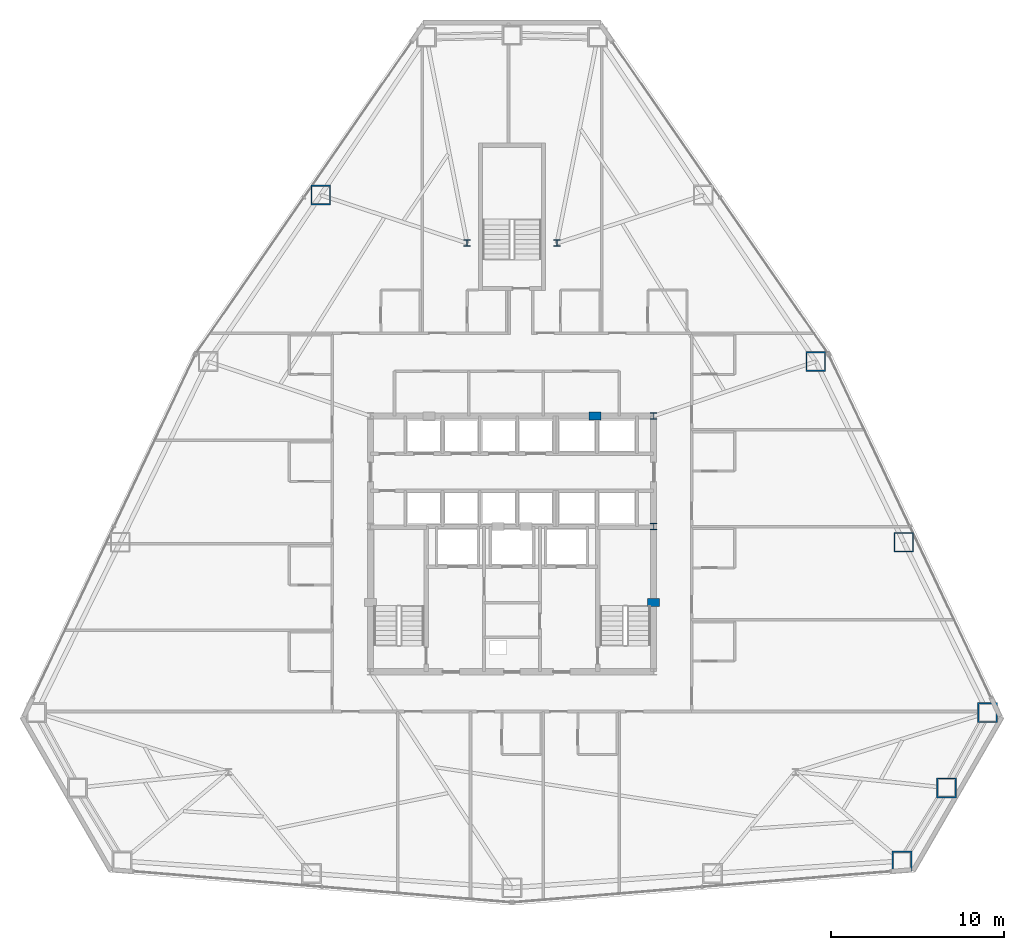
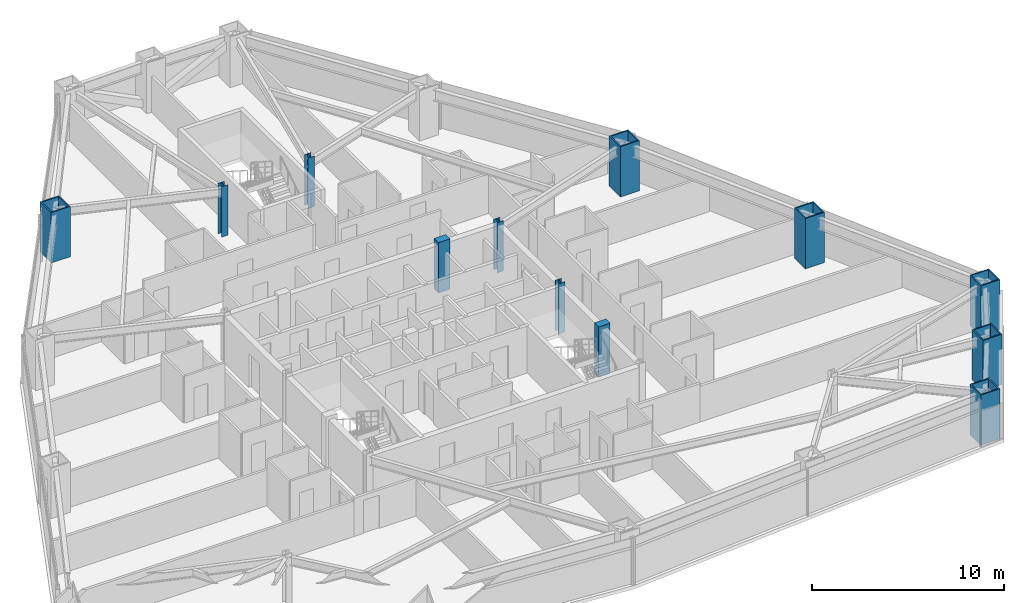
# One storey, part 2 of 13: 12 columns.
"""IFC4 building model written with IfcOpenShell, lengths in metres."""

import ifcopenshell
import ifcopenshell.guid

model = None  # the IFC model being written
_history = None  # IfcOwnerHistory: only IFC2X3 demands one
_inside = {}  # id of a spatial element -> (the spatial element, [elements in it])
_under = {}  # id of a project, library or spatial element -> (it, [spatial elements below it])
_declared = {}  # id of a project -> (the project, [libraries it declares])
_typed = {}  # id of a type object -> (the type object, [elements of that type])
_made_of = {}  # id of a material, layer set ... -> (it, [elements and type objects made of it])


def new_model(schema):
    """Start an empty IFC model of exactly this schema.

    Asked for "IFC4X3", IfcOpenShell would pick the latest addendum, in which some entities
    have other attributes; the version numbers below select the first issue.
    IFC2X3 requires an IfcOwnerHistory on every rooted entity: one is made here for all.
    """
    global model, _history
    if schema == "IFC4X3":
        model = ifcopenshell.file(schema_version=(4, 3, 0, 0))
    else:
        model = ifcopenshell.file(schema=schema)
    _inside.clear()
    _under.clear()
    _declared.clear()
    _typed.clear()
    _made_of.clear()
    _history = None
    if model.schema == "IFC2X3":
        org = make("IfcOrganization", Name="unknown")
        user = make(
            "IfcPersonAndOrganization",
            ThePerson=make("IfcPerson", FamilyName="unknown"),
            TheOrganization=org,
        )
        app = make(
            "IfcApplication",
            ApplicationDeveloper=org,
            Version="unknown",
            ApplicationFullName="unknown",
            ApplicationIdentifier="unknown",
        )
        _history = make(
            "IfcOwnerHistory",
            OwningUser=user,
            OwningApplication=app,
            ChangeAction="ADDED",
            CreationDate=0,
        )
    return model


def make(cls, **values):
    """One entity of the class cls with the attributes given. An attribute that is None is left unset."""
    return model.create_entity(
        cls, **{name: value for name, value in values.items() if value is not None}
    )


def rooted(cls, **values):
    """An entity with a GlobalId (a new one), such as an element, a storey or a relation."""
    return make(cls, GlobalId=ifcopenshell.guid.new(), OwnerHistory=_history, **values)


def si_unit(unit_type, name, prefix=None):
    """IfcSIUnit, for example si_unit("LENGTHUNIT", "METRE", prefix="MILLI")."""
    return make("IfcSIUnit", UnitType=unit_type, Prefix=prefix, Name=name)


def assignment(units):
    """IfcUnitAssignment: the units of a project."""
    return None if units is None else make("IfcUnitAssignment", Units=units)


def point(xyz):
    """IfcCartesianPoint."""
    return None if xyz is None else make("IfcCartesianPoint", Coordinates=xyz)


def direction(xyz):
    """IfcDirection."""
    return None if xyz is None else make("IfcDirection", DirectionRatios=xyz)


def frame(location, z_axis=None, x_axis=None):
    """IfcAxis2Placement3D, a coordinate frame: its origin and axes. An axis left out is left unset."""
    return make(
        "IfcAxis2Placement3D",
        Location=point(location),
        Axis=direction(z_axis),
        RefDirection=direction(x_axis),
    )


def frame_2d(location, x_axis=None):
    """IfcAxis2Placement2D, a coordinate frame in the plane: its origin and x axis."""
    return make(
        "IfcAxis2Placement2D", Location=point(location), RefDirection=direction(x_axis)
    )


def origin():
    """The frame at (0, 0, 0) with its axes left unset."""
    return frame((0.0, 0.0, 0.0))


def origin_2d():
    """The frame at (0, 0) in the plane with its x axis left unset."""
    return frame_2d((0.0, 0.0))


def place(relative_to, where):
    """IfcLocalPlacement: puts the frame where relative to a parent placement (None: the world)."""
    return make(
        "IfcLocalPlacement", PlacementRelTo=relative_to, RelativePlacement=where
    )


def context(
    kind, dimensions, precision=None, world=None, true_north=None, identifier=None
):
    """IfcGeometricRepresentationContext, for example the 3D "Model" context."""
    return make(
        "IfcGeometricRepresentationContext",
        ContextIdentifier=identifier,
        ContextType=kind,
        CoordinateSpaceDimension=dimensions,
        Precision=precision,
        WorldCoordinateSystem=world,
        TrueNorth=true_north,
    )


def subcontext(parent, identifier, kind, view, scale=None):
    """IfcGeometricRepresentationSubContext, for example "Body" below "Model"."""
    return make(
        "IfcGeometricRepresentationSubContext",
        ContextIdentifier=identifier,
        ContextType=kind,
        ParentContext=parent,
        TargetScale=scale,
        TargetView=view,
    )


def project(units=None, contexts=None):
    """IfcProject with its units and contexts."""
    return rooted(
        "IfcProject",
        Name="project",
        RepresentationContexts=contexts,
        UnitsInContext=assignment(units),
    )


def spatial(cls, under=None, at=None, **own):
    """A site, building, storey or space (cls), placed at a placement, below another one or the project."""
    s = rooted(cls, ObjectPlacement=at, **own)
    if under is not None:
        _under.setdefault(under.id(), (under, []))[1].append(s)
    return s


def profile(cls, at=None, kind="AREA", **sizes):
    """A parametric profile (cls). Its sizes go by their IFC names, for example OverallWidth=200.0."""
    return make(cls, ProfileType=kind, Position=at, **sizes)


def rectangle(**sizes):
    """IfcRectangleProfileDef."""
    return profile("IfcRectangleProfileDef", **sizes)


def hollow_rectangle(**sizes):
    """IfcRectangleHollowProfileDef."""
    return profile("IfcRectangleHollowProfileDef", **sizes)


def i_section(**sizes):
    """IfcIShapeProfileDef."""
    return profile("IfcIShapeProfileDef", **sizes)


def extrude(swept, where, along, depth):
    """IfcExtrudedAreaSolid: the profile swept, set in the frame where, extruded along a direction by depth."""
    return make(
        "IfcExtrudedAreaSolid",
        SweptArea=swept,
        Position=where,
        ExtrudedDirection=direction(along),
        Depth=depth,
    )


def shape(context_of_items, identifier, shape_type, items):
    """IfcShapeRepresentation: the items that make up one representation, for example the "Body"."""
    return make(
        "IfcShapeRepresentation",
        ContextOfItems=context_of_items,
        RepresentationIdentifier=identifier,
        RepresentationType=shape_type,
        Items=items,
    )


def material(Name=None, Category=None):
    """IfcMaterial."""
    return make("IfcMaterial", Name=Name, Category=Category)


def material_profile(
    of_material, cross_section, Name=None, Category=None, Priority=None
):
    """IfcMaterialProfile: a cross section and its material."""
    return make(
        "IfcMaterialProfile",
        Name=Name,
        Material=of_material,
        Profile=cross_section,
        Priority=Priority,
        Category=Category,
    )


def profile_set(profiles, Name=None, composite=None):
    """IfcMaterialProfileSet."""
    return make(
        "IfcMaterialProfileSet",
        Name=Name,
        MaterialProfiles=profiles,
        CompositeProfile=composite,
    )


def made_of(thing, what):
    """Note that an element or type object is made of a material, layer set ...; save() writes the relation."""
    if what is not None:
        _made_of.setdefault(what.id(), (what, []))[1].append(thing)
    return thing


def type_object(cls, material=None, **own):
    """A type object (cls), such as IfcWallType, which elements share."""
    return made_of(rooted(cls, **own), material)


def element(
    cls,
    number,
    at=None,
    inside=None,
    cuts=None,
    type_object=None,
    material=None,
    context=None,
    identifier="Body",
    shape_type=None,
    held_by="IfcProductDefinitionShape",
    body=None,
    shapes=None,
    **own,
):
    """One element of the class cls, such as IfcWall. Its Tag is "e" and its number.

    at: its placement. inside: the storey or other place that contains it. cuts: it is an
    opening in that element (IfcRelVoidsElement). A single representation is given by context,
    identifier, shape_type and body (its items); several are given by shapes. held_by: the class
    of the entity that holds the representations. save() writes the other relations.
    """
    e = rooted(cls, Tag="e%d" % number, ObjectPlacement=at, **own)
    if body is not None:
        shapes = [shape(context, identifier, shape_type, body)]
    if shapes is not None:
        e.Representation = make(held_by, Representations=shapes)
    if inside is not None:
        _inside.setdefault(inside.id(), (inside, []))[1].append(e)
    if cuts is not None:
        rooted(
            "IfcRelVoidsElement", RelatingBuildingElement=cuts, RelatedOpeningElement=e
        )
    if type_object is not None:
        _typed.setdefault(type_object.id(), (type_object, []))[1].append(e)
    return made_of(e, material)


def aggregate(whole, parts):
    """IfcRelAggregates: a whole, such as a stair, and the parts it consists of."""
    return rooted("IfcRelAggregates", RelatingObject=whole, RelatedObjects=parts)


def save(model, path):
    """Write the relations noted so far, then the file.

    IfcRelAggregates (storeys below a building ...), IfcRelContainedInSpatialStructure (elements
    in a storey), IfcRelDefinesByType, IfcRelAssociatesMaterial and IfcRelDeclares: one each for
    every whole, place, type object, material and project.
    """
    for whole, parts in _under.values():
        aggregate(whole, parts)
    for where, things in _inside.values():
        rooted(
            "IfcRelContainedInSpatialStructure",
            RelatedElements=things,
            RelatingStructure=where,
        )
    for kind, things in _typed.values():
        rooted("IfcRelDefinesByType", RelatedObjects=things, RelatingType=kind)
    for what, things in _made_of.values():
        rooted("IfcRelAssociatesMaterial", RelatedObjects=things, RelatingMaterial=what)
    for by, libraries in _declared.values():
        rooted("IfcRelDeclares", RelatingContext=by, RelatedDefinitions=libraries)
    model.write(path)


model = new_model("IFC4")

# Units and contexts
model_context = context("Model", 3, precision=1e-05, world=origin(), true_north=direction((0.0, 1.0)))
body_context = subcontext(model_context, "Body", "Model", "MODEL_VIEW")
ifc_project = project(units=[si_unit("LENGTHUNIT", "METRE"), si_unit("AREAUNIT", "SQUARE_METRE"), si_unit("VOLUMEUNIT", "CUBIC_METRE"), si_unit("PLANEANGLEUNIT", "RADIAN"), si_unit("MASSUNIT", "GRAM", prefix="KILO")], contexts=[model_context])

# Site, building, storey
site_placement = place(None, origin())
site = spatial("IfcSite", under=ifc_project, at=site_placement, CompositionType="ELEMENT")
building_placement = place(site_placement, origin())
building = spatial("IfcBuilding", under=site, at=building_placement, Name="Varakhsha Concourse Tower", CompositionType="ELEMENT")
storey_placement = place(building_placement, frame((0.0, 0.0, 49.60009765625)))
storey = spatial("IfcBuildingStorey", under=building, at=storey_placement, Name="L13", CompositionType="ELEMENT", Elevation=49.60009765625)

# Columns
ifc_material_1 = material(Name="Structural Steel ASTM A992 Grade 50", Category="steel")
ifc_material_profile_1 = material_profile(ifc_material_1, i_section(OverallWidth=0.3740234375, OverallDepth=0.3720703125, WebThickness=0.01611328125, FlangeThickness=0.02587890625, at=origin_2d()), Name="W14X132")
ifc_profile_set_1 = profile_set([ifc_material_profile_1], Name="Structural Steel ASTM A992 Grade 50")
column_type_1 = type_object("IfcColumnType", Name="CL-CORE-W14X132", PredefinedType="COLUMN", material=ifc_profile_set_1)
for number, where, z_axis, x_axis, name in (
    (1, (48.199951171875, 24.800048828125, 0.0), (0.0, 0.0, 1.0), (1.0, 0.0, 0.0), "L13 Core Column CC-ME"),
    (2, (48.199951171875, 31.199951171875, 0.0), (0.0, 0.0, 1.0), (1.0, 0.0, 0.0), "L13 Core Column CC-NE"),
    (3, (37.39990234375, 41.199951171875, 0.0), (0.0, 0.0, 1.0), (1.0, 0.0, 0.0), "L13 Core Column NS-W"),
    (4, (42.60009765625, 41.199951171875, 0.0), (0.0, 0.0, 1.0), (1.0, 0.0, 0.0), "L13 Core Column NS-E"),
):
    element("IfcColumn", number, at=place(storey_placement, frame(where, z_axis=z_axis, x_axis=x_axis)), inside=storey, type_object=column_type_1, Name=name, PredefinedType="COLUMN", context=body_context, shape_type="SweptSolid", body=[
        extrude(i_section(OverallWidth=0.3740234375, OverallDepth=0.3720703125, WebThickness=0.01611328125, FlangeThickness=0.02587890625, at=origin_2d()), origin(), (0.0, 0.0, 1.0), 3.199951171875),
    ])
ifc_material_2 = material(Name="Concrete fc 65 MPa", Category="concrete")
ifc_material_profile_2 = material_profile(ifc_material_2, rectangle(XDim=0.699951171875, YDim=0.449951171875, at=origin_2d()), Name="RC 700x450")
ifc_profile_set_2 = profile_set([ifc_material_profile_2], Name="Concrete fc 65 MPa")
column_type_2 = type_object("IfcColumnType", Name="CL-PIL-700X450", PredefinedType="PILASTER", material=ifc_profile_set_2)
for number, where, z_axis, x_axis, name in (
    (5, (48.199951171875, 20.39990234375, 0.0), (0.0, 0.0, 1.0), (1.0, 0.0, 0.0), "L13 Core Boundary Pilaster PIL-E1"),
    (6, (44.800048828125, 31.199951171875, 0.0), (0.0, 0.0, 1.0), (1.0, 0.0, 0.0), "L13 Core Boundary Pilaster PIL-N2"),
):
    element("IfcColumn", number, at=place(storey_placement, frame(where, z_axis=z_axis, x_axis=x_axis)), inside=storey, type_object=column_type_2, Name=name, PredefinedType="PILASTER", context=body_context, shape_type="SweptSolid", body=[
        extrude(rectangle(XDim=0.699951171875, YDim=0.449951171875, at=origin_2d()), origin(), (0.0, 0.0, 1.0), 3.199951171875),
    ])
ifc_material_3 = material(Name="Structural Steel ASTM A572 Grade 50", Category="steel")
ifc_material_profile_3 = material_profile(ifc_material_3, hollow_rectangle(XDim=1.14990234375, YDim=1.14990234375, WallThickness=0.074951171875, at=origin_2d()), Name="BOX 1150x1150x75")
ifc_profile_set_3 = profile_set([ifc_material_profile_3], Name="Structural Steel ASTM A572 Grade 50")
column_type_3 = type_object("IfcColumnType", Name="CL-TUBE-1150", PredefinedType="COLUMN", material=ifc_profile_set_3)
for number, where, z_axis, x_axis, name in (
    (7, (28.9306640625, 43.986083984375, 0.0), (0.0, 0.0, 1.0), (1.0, 0.0, 0.0), "L13 Framed-Tube Column TC04"),
    (8, (62.56640625, 5.44677734375, 0.0), (0.0, 0.0, 1.0), (1.0, 0.0, 0.0), "L13 Framed-Tube Column TC13"),
    (9, (65.146728515625, 9.681396484375, 0.0), (0.0, 0.0, 1.0), (1.0, 0.0, 0.0), "L13 Framed-Tube Column TC14"),
    (10, (67.52392578125, 14.033447265625, 0.0), (0.0, 0.0, 1.0), (1.0, 0.0, 0.0), "L13 Framed-Tube Column TC15"),
    (11, (62.669921875, 23.893310546875, 0.0), (0.0, 0.0, 1.0), (1.0, 0.0, 0.0), "L13 Framed-Tube Column TC16"),
    (12, (57.5810546875, 34.350341796875, 0.0), (0.0, 0.0, 1.0), (1.0, 0.0, 0.0), "L13 Framed-Tube Column TC17"),
):
    element("IfcColumn", number, at=place(storey_placement, frame(where, z_axis=z_axis, x_axis=x_axis)), inside=storey, type_object=column_type_3, Name=name, PredefinedType="COLUMN", context=body_context, shape_type="SweptSolid", body=[
        extrude(hollow_rectangle(XDim=1.14990234375, YDim=1.14990234375, WallThickness=0.074951171875, at=origin_2d()), origin(), (0.0, 0.0, 1.0), 3.199951171875),
    ])

save(model, "model.ifc")
